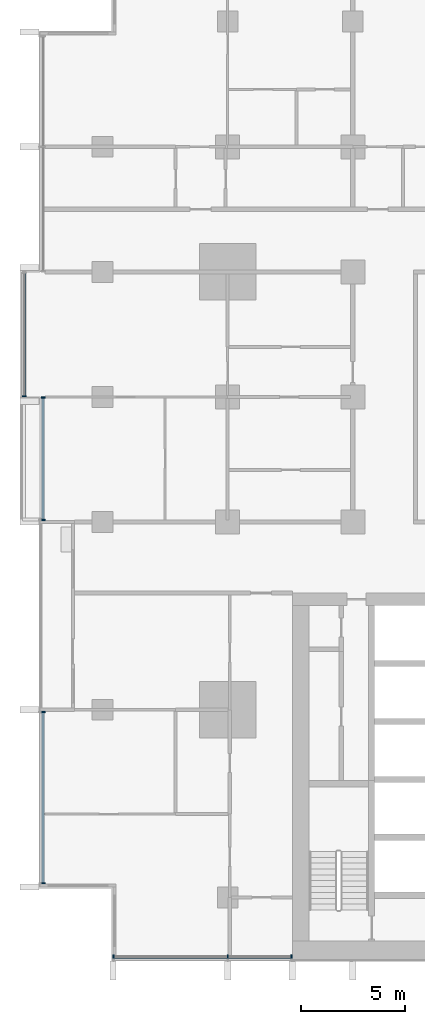
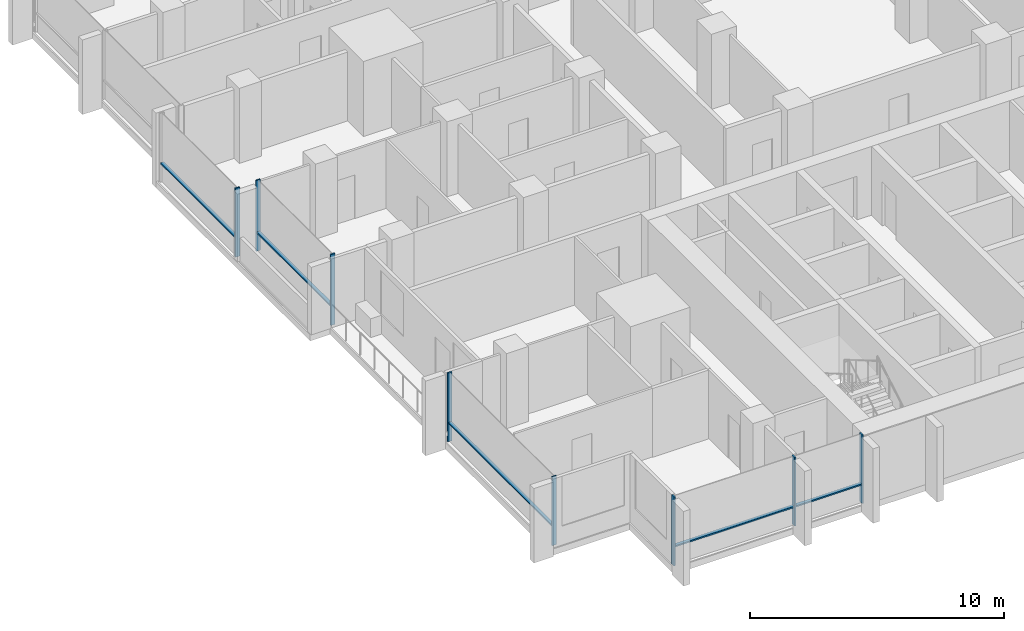
# One storey, part 2 of 19: 13 members, 4 elements without a shape of their own.
"""IFC4 building model written with IfcOpenShell, lengths in metres."""

from ifc_helpers import new_model, si_unit, direction, frame, origin, origin_2d, place, context, subcontext, project, spatial, rectangle, extrude, material, material_profile, profile_set, type_object, element, aggregate, save


model = new_model("IFC4")

# Units and contexts
model_context = context("Model", 3, precision=1e-05, world=origin(), true_north=direction((0.0, 1.0)))
body_context = subcontext(model_context, "Body", "Model", "MODEL_VIEW")
ifc_project = project(units=[si_unit("LENGTHUNIT", "METRE"), si_unit("AREAUNIT", "SQUARE_METRE"), si_unit("VOLUMEUNIT", "CUBIC_METRE"), si_unit("PLANEANGLEUNIT", "RADIAN"), si_unit("MASSUNIT", "GRAM", prefix="KILO")], contexts=[model_context])

# Site, building, storey
site_placement = place(None, origin())
site = spatial("IfcSite", under=ifc_project, at=site_placement, CompositionType="ELEMENT")
building_placement = place(site_placement, origin())
building = spatial("IfcBuilding", under=site, at=building_placement, Name="Finial Court Residences", CompositionType="ELEMENT")
storey_placement = place(building_placement, frame((0.0, 0.0, 88.300048828125)))
storey = spatial("IfcBuildingStorey", under=building, at=storey_placement, Name="L21", CompositionType="ELEMENT", Elevation=88.300048828125)

# Curtain wall, members
ifc_material = material(Name="Bronze anodised aluminium", Category="aluminium")
curtain_wall_type = type_object("IfcCurtainWallType", Name="Unitised curtain wall, lower and middle zones", PredefinedType="NOTDEFINED", material=ifc_material)
curtain_wall_1_placement = place(storey_placement, origin())
curtain_wall_1 = element("IfcCurtainWall", 1, at=curtain_wall_1_placement, inside=storey, type_object=curtain_wall_type, Name="E-L21-CW-S8", PredefinedType="NOTDEFINED")
ifc_material_profile_1 = material_profile(ifc_material, rectangle(XDim=0.199951171875, YDim=0.06494140625, at=origin_2d()), Name="CW1 mullion 65 x 200")
ifc_profile_set_1 = profile_set([ifc_material_profile_1], Name="Bronze anodised aluminium")
member_type_1 = type_object("IfcMemberType", Name="CW1 mullion 65 x 200", PredefinedType="MULLION", material=ifc_profile_set_1)
member_1_placement = place(storey_placement, frame((-21.967529296875, -25.35009765625, 0.0), z_axis=(0.0, 0.0, 1.0), x_axis=(0.0, 1.0, 0.0)))
member_1 = element("IfcMember", 2, at=member_1_placement, type_object=member_type_1, Name="CW1 mullion 1", PredefinedType="MULLION", context=body_context, shape_type="SweptSolid", body=[
    extrude(rectangle(XDim=0.199951171875, YDim=0.06494140625, at=origin_2d()), origin(), (0.0, 0.0, 1.0), 3.300048828125),
])
member_2_placement = place(storey_placement, frame((-16.5, -25.35009765625, 0.0), z_axis=(0.0, 0.0, 1.0), x_axis=(0.0, 1.0, 0.0)))
member_2 = element("IfcMember", 3, at=member_2_placement, type_object=member_type_1, Name="CW1 mullion 2", PredefinedType="MULLION", context=body_context, shape_type="SweptSolid", body=[
    extrude(rectangle(XDim=0.199951171875, YDim=0.06494140625, at=origin_2d()), origin(), (0.0, 0.0, 1.0), 3.300048828125),
])
member_3_placement = place(storey_placement, frame((-13.4326171875, -25.35009765625, 0.0), z_axis=(0.0, 0.0, 1.0), x_axis=(0.0, 1.0, 0.0)))
member_3 = element("IfcMember", 4, at=member_3_placement, type_object=member_type_1, Name="CW1 mullion 3", PredefinedType="MULLION", context=body_context, shape_type="SweptSolid", body=[
    extrude(rectangle(XDim=0.199951171875, YDim=0.06494140625, at=origin_2d()), origin(), (0.0, 0.0, 1.0), 3.300048828125),
])

curtain_wall_2_placement = place(storey_placement, origin())
curtain_wall_2 = element("IfcCurtainWall", 5, at=curtain_wall_2_placement, inside=storey, type_object=curtain_wall_type, Name="E-L21-CW-W10", PredefinedType="NOTDEFINED")
member_4_placement = place(storey_placement, frame((-25.35009765625, -21.8173828125, 0.0), z_axis=(0.0, 0.0, 1.0), x_axis=(-1.0, 0.0, 0.0)))
member_4 = element("IfcMember", 6, at=member_4_placement, type_object=member_type_1, Name="CW1 mullion 1", PredefinedType="MULLION", context=body_context, shape_type="SweptSolid", body=[
    extrude(rectangle(XDim=0.199951171875, YDim=0.06494140625, at=origin_2d()), origin(), (0.0, 0.0, 1.0), 3.300048828125),
])
member_5_placement = place(storey_placement, frame((-25.35009765625, -13.607421875, 0.0), z_axis=(0.0, 0.0, 1.0), x_axis=(-1.0, 0.0, 0.0)))
member_5 = element("IfcMember", 7, at=member_5_placement, type_object=member_type_1, Name="CW1 mullion 2", PredefinedType="MULLION", context=body_context, shape_type="SweptSolid", body=[
    extrude(rectangle(XDim=0.199951171875, YDim=0.06494140625, at=origin_2d()), origin(), (0.0, 0.0, 1.0), 3.300048828125),
])

curtain_wall_3_placement = place(storey_placement, origin())
curtain_wall_3 = element("IfcCurtainWall", 8, at=curtain_wall_3_placement, inside=storey, type_object=curtain_wall_type, Name="E-L21-CW-W11", PredefinedType="NOTDEFINED")
member_6_placement = place(storey_placement, frame((-25.35009765625, -4.392578125, 0.0), z_axis=(0.0, 0.0, 1.0), x_axis=(-1.0, 0.0, 0.0)))
member_6 = element("IfcMember", 9, at=member_6_placement, type_object=member_type_1, Name="CW1 mullion 1", PredefinedType="MULLION", context=body_context, shape_type="SweptSolid", body=[
    extrude(rectangle(XDim=0.199951171875, YDim=0.06494140625, at=origin_2d()), origin(), (0.0, 0.0, 1.0), 3.39990234375),
])
member_7_placement = place(storey_placement, frame((-25.35009765625, 1.467529296875, 0.0), z_axis=(0.0, 0.0, 1.0), x_axis=(-1.0, 0.0, 0.0)))
member_7 = element("IfcMember", 10, at=member_7_placement, type_object=member_type_1, Name="CW1 mullion 2", PredefinedType="MULLION", context=body_context, shape_type="SweptSolid", body=[
    extrude(rectangle(XDim=0.199951171875, YDim=0.06494140625, at=origin_2d()), origin(), (0.0, 0.0, 1.0), 3.39990234375),
])

# Curtain wall, member
curtain_wall_4_placement = place(storey_placement, origin())
curtain_wall_4 = element("IfcCurtainWall", 11, at=curtain_wall_4_placement, inside=storey, type_object=curtain_wall_type, Name="E-L21-CW-W12", PredefinedType="NOTDEFINED")
member_8_placement = place(storey_placement, frame((-26.25, 1.532470703125, 0.0), z_axis=(0.0, 0.0, 1.0), x_axis=(-1.0, 0.0, 0.0)))
member_8 = element("IfcMember", 12, at=member_8_placement, type_object=member_type_1, Name="CW1 mullion 1", PredefinedType="MULLION", context=body_context, shape_type="SweptSolid", body=[
    extrude(rectangle(XDim=0.199951171875, YDim=0.06494140625, at=origin_2d()), origin(), (0.0, 0.0, 1.0), 3.300048828125),
])

# Member
ifc_material_profile_2 = material_profile(ifc_material, rectangle(XDim=0.14990234375, YDim=0.06494140625, at=origin_2d()), Name="CW1 transom 65 x 150")
ifc_profile_set_2 = profile_set([ifc_material_profile_2], Name="Bronze anodised aluminium")
member_type_2 = type_object("IfcMemberType", Name="CW1 transom 65 x 150", PredefinedType="USERDEFINED", material=ifc_profile_set_2)
member_9_placement = place(storey_placement, frame((-21.93505859375, -25.35009765625, 0.89990234375), z_axis=(1.0, 0.0, 0.0), x_axis=(0.0, 1.0, 0.0)))
member_9 = element("IfcMember", 13, at=member_9_placement, type_object=member_type_2, Name="CW1 transom 1.1", ObjectType="TRANSOM", PredefinedType="USERDEFINED", context=body_context, shape_type="SweptSolid", body=[
    extrude(rectangle(XDim=0.14990234375, YDim=0.06494140625, at=origin_2d()), origin(), (0.0, 0.0, 1.0), 5.402587890625),
])

member_10_placement = place(storey_placement, frame((-16.467529296875, -25.35009765625, 0.89990234375), z_axis=(1.0, 0.0, 0.0), x_axis=(0.0, 1.0, 0.0)))
member_10 = element("IfcMember", 14, at=member_10_placement, type_object=member_type_2, Name="CW1 transom 2.1", ObjectType="TRANSOM", PredefinedType="USERDEFINED", context=body_context, shape_type="SweptSolid", body=[
    extrude(rectangle(XDim=0.14990234375, YDim=0.06494140625, at=origin_2d()), origin(), (0.0, 0.0, 1.0), 3.00244140625),
])

aggregate(curtain_wall_1, [member_1, member_2, member_3, member_9, member_10])

member_11_placement = place(storey_placement, frame((-25.35009765625, -21.784912109375, 0.89990234375), z_axis=(0.0, 1.0, 0.0), x_axis=(-1.0, 0.0, 0.0)))
member_11 = element("IfcMember", 15, at=member_11_placement, type_object=member_type_2, Name="CW1 transom 1.1", ObjectType="TRANSOM", PredefinedType="USERDEFINED", context=body_context, shape_type="SweptSolid", body=[
    extrude(rectangle(XDim=0.14990234375, YDim=0.06494140625, at=origin_2d()), origin(), (0.0, 0.0, 1.0), 8.14501953125),
])

aggregate(curtain_wall_2, [member_4, member_5, member_11])

member_12_placement = place(storey_placement, frame((-25.35009765625, -4.360107421875, 0.89990234375), z_axis=(0.0, 1.0, 0.0), x_axis=(-1.0, 0.0, 0.0)))
member_12 = element("IfcMember", 16, at=member_12_placement, type_object=member_type_2, Name="CW1 transom 1.1", ObjectType="TRANSOM", PredefinedType="USERDEFINED", context=body_context, shape_type="SweptSolid", body=[
    extrude(rectangle(XDim=0.14990234375, YDim=0.06494140625, at=origin_2d()), origin(), (0.0, 0.0, 1.0), 5.795166015625),
])

aggregate(curtain_wall_3, [member_6, member_7, member_12])

member_13_placement = place(storey_placement, frame((-26.25, 1.56494140625, 0.89990234375), z_axis=(0.0, 1.0, 0.0), x_axis=(-1.0, 0.0, 0.0)))
member_13 = element("IfcMember", 17, at=member_13_placement, type_object=member_type_2, Name="CW1 transom 1.1", ObjectType="TRANSOM", PredefinedType="USERDEFINED", context=body_context, shape_type="SweptSolid", body=[
    extrude(rectangle(XDim=0.14990234375, YDim=0.06494140625, at=origin_2d()), origin(), (0.0, 0.0, 1.0), 5.8701171875),
])

aggregate(curtain_wall_4, [member_8, member_13])

save(model, "model.ifc")
